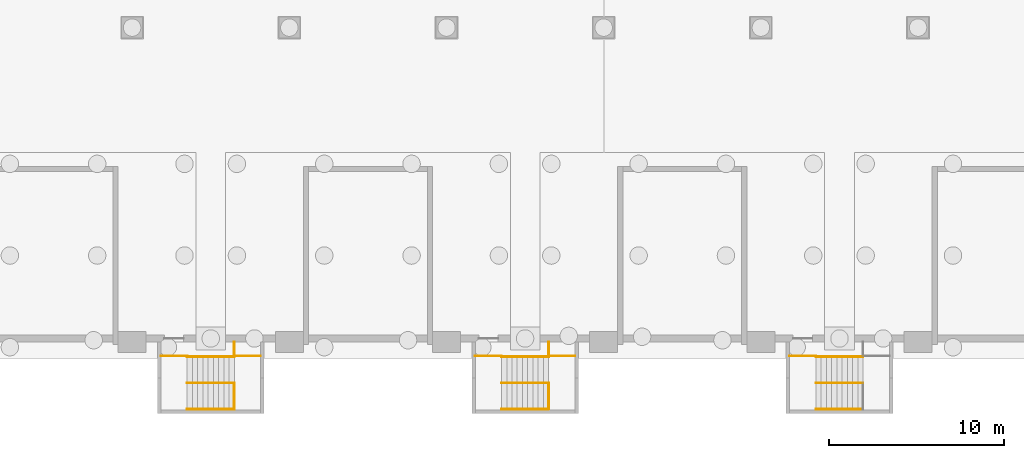
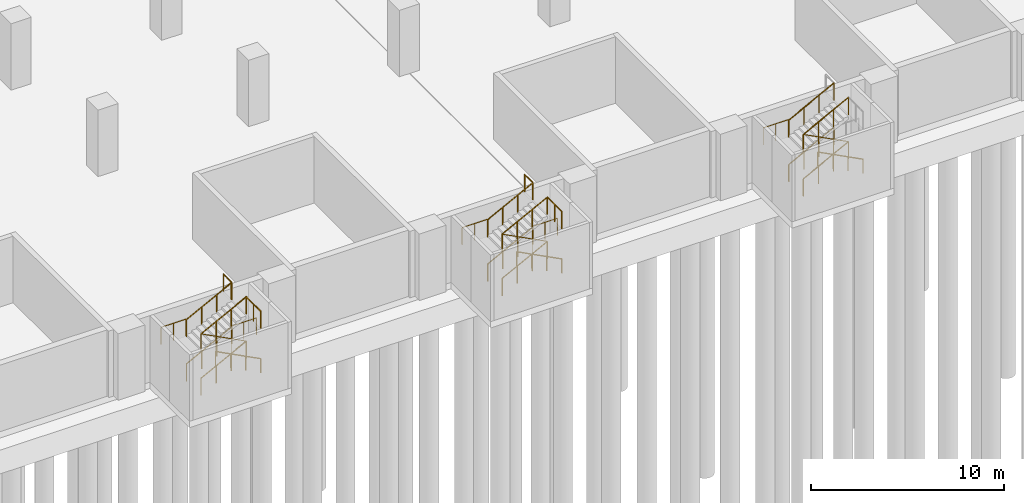
# One storey, part 21 of 29: 27 railings.
"""IFC4 building model written with IfcOpenShell, lengths in metres."""

from ifc_helpers import new_model, si_unit, direction, frame, origin, origin_2d, place, context, subcontext, project, spatial, circle, extrude, material, type_object, element, save


model = new_model("IFC4")

# Units and contexts
model_context = context("Model", 3, precision=1e-05, world=origin(), true_north=direction((0.0, 1.0)))
body_context = subcontext(model_context, "Body", "Model", "MODEL_VIEW")
ifc_project = project(units=[si_unit("LENGTHUNIT", "METRE"), si_unit("AREAUNIT", "SQUARE_METRE"), si_unit("VOLUMEUNIT", "CUBIC_METRE"), si_unit("PLANEANGLEUNIT", "RADIAN"), si_unit("MASSUNIT", "GRAM", prefix="KILO")], contexts=[model_context])

# Site, building, storey
site_placement = place(None, origin())
site = spatial("IfcSite", under=ifc_project, at=site_placement, CompositionType="ELEMENT")
building_placement = place(site_placement, origin())
building = spatial("IfcBuilding", under=site, at=building_placement, Name="Aravalli Gate Trade Fair Centre", CompositionType="ELEMENT")
storey_placement = place(building_placement, frame((0.0, 0.0, -8.39990234375)))
storey = spatial("IfcBuildingStorey", under=building, at=storey_placement, Name="B2", CompositionType="ELEMENT", Elevation=-8.39990234375)

# Railings
ifc_material = material(Name="Steel E350", Category="steel")
railing_type_1 = type_object("IfcRailingType", Name="Basement stair guard 1100", PredefinedType="GUARDRAIL", material=ifc_material)
railing_1_placement = place(storey_placement, frame((27.14990234375, 43.64990234375, 0.0)))
element("IfcRailing", 1, at=railing_1_placement, inside=storey, type_object=railing_type_1, Name="Basement stair S1 guard A B2", PredefinedType="GUARDRAIL", context=body_context, shape_type="SweptSolid", body=[
    extrude(circle(Radius=0.02392578125, at=origin_2d()), frame((0.0, 0.0, 1.076171875), z_axis=(0.887781257544, 0.0, 0.460265617609), x_axis=(0.0, 1.0, 0.0)), (0.0, 0.0, 1.0), 3.04150390625),
    extrude(circle(Radius=0.02099609375, at=origin_2d()), origin(), (0.0, 0.0, 1.0), 1.052001953125),
    extrude(circle(Radius=0.02099609375, at=origin_2d()), frame((0.900146484375, 0.0, 0.466552734375)), (0.0, 0.0, 1.0), 1.052001953125),
    extrude(circle(Radius=0.02099609375, at=origin_2d()), frame((1.800048828125, 0.0, 0.933349609375)), (0.0, 0.0, 1.0), 1.052001953125),
    extrude(circle(Radius=0.02099609375, at=origin_2d()), frame((2.7001953125, 0.0, 1.39990234375)), (0.0, 0.0, 1.0), 1.052001953125),
])
railing_2_placement = place(storey_placement, frame((29.85009765625, 43.64990234375, 1.39990234375)))
element("IfcRailing", 2, at=railing_2_placement, inside=storey, type_object=railing_type_1, Name="Basement stair S1 guard B B2", PredefinedType="GUARDRAIL", context=body_context, shape_type="SweptSolid", body=[
    extrude(circle(Radius=0.02392578125, at=origin_2d()), frame((0.0, 0.0, 1.076171875), z_axis=(-0.887781257544, 0.0, 0.460265617609), x_axis=(0.0, -1.0, 0.0)), (0.0, 0.0, 1.0), 3.04150390625),
    extrude(circle(Radius=0.02099609375, at=origin_2d()), origin(), (0.0, 0.0, 1.0), 1.052001953125),
    extrude(circle(Radius=0.02099609375, at=origin_2d()), frame((-0.900146484375, 0.0, 0.466552734375)), (0.0, 0.0, 1.0), 1.052001953125),
    extrude(circle(Radius=0.02099609375, at=origin_2d()), frame((-1.800048828125, 0.0, 0.933349609375)), (0.0, 0.0, 1.0), 1.052001953125),
    extrude(circle(Radius=0.02099609375, at=origin_2d()), frame((-2.7001953125, 0.0, 1.39990234375)), (0.0, 0.0, 1.0), 1.052001953125),
])
railing_3_placement = place(storey_placement, frame((27.14990234375, 43.64990234375, 2.7998046875)))
element("IfcRailing", 3, at=railing_3_placement, inside=storey, type_object=railing_type_1, Name="Basement stair S1 guard C B2", PredefinedType="GUARDRAIL", context=body_context, shape_type="SweptSolid", body=[
    extrude(circle(Radius=0.02392578125, at=origin_2d()), frame((0.0, 0.0, 1.076171875), z_axis=(0.887748457143, 0.0, 0.460328878998), x_axis=(0.0, 1.0, 0.0)), (0.0, 0.0, 1.0), 3.04150390625),
    extrude(circle(Radius=0.02099609375, at=origin_2d()), origin(), (0.0, 0.0, 1.0), 1.052001953125),
    extrude(circle(Radius=0.02099609375, at=origin_2d()), frame((0.900146484375, 0.0, 0.466796875)), (0.0, 0.0, 1.0), 1.052001953125),
    extrude(circle(Radius=0.02099609375, at=origin_2d()), frame((1.800048828125, 0.0, 0.933349609375)), (0.0, 0.0, 1.0), 1.052001953125),
    extrude(circle(Radius=0.02099609375, at=origin_2d()), frame((2.7001953125, 0.0, 1.400146484375)), (0.0, 0.0, 1.0), 1.052001953125),
])
railing_4_placement = place(storey_placement, frame((27.14990234375, 45.14990234375, 0.0)))
element("IfcRailing", 4, at=railing_4_placement, inside=storey, type_object=railing_type_1, Name="Basement stair S1 guard A B2", PredefinedType="GUARDRAIL", context=body_context, shape_type="SweptSolid", body=[
    extrude(circle(Radius=0.02392578125, at=origin_2d()), frame((0.0, 0.0, 1.076171875), z_axis=(0.887781257544, 0.0, 0.460265617609), x_axis=(0.0, 1.0, 0.0)), (0.0, 0.0, 1.0), 3.04150390625),
    extrude(circle(Radius=0.02099609375, at=origin_2d()), origin(), (0.0, 0.0, 1.0), 1.052001953125),
    extrude(circle(Radius=0.02099609375, at=origin_2d()), frame((0.900146484375, 0.0, 0.466552734375)), (0.0, 0.0, 1.0), 1.052001953125),
    extrude(circle(Radius=0.02099609375, at=origin_2d()), frame((1.800048828125, 0.0, 0.933349609375)), (0.0, 0.0, 1.0), 1.052001953125),
    extrude(circle(Radius=0.02099609375, at=origin_2d()), frame((2.7001953125, 0.0, 1.39990234375)), (0.0, 0.0, 1.0), 1.052001953125),
])
railing_5_placement = place(storey_placement, frame((27.14990234375, 45.14990234375, 2.7998046875)))
element("IfcRailing", 5, at=railing_5_placement, inside=storey, type_object=railing_type_1, Name="Basement stair S1 guard C B2", PredefinedType="GUARDRAIL", context=body_context, shape_type="SweptSolid", body=[
    extrude(circle(Radius=0.02392578125, at=origin_2d()), frame((0.0, 0.0, 1.076171875), z_axis=(0.887748457143, 0.0, 0.460328878998), x_axis=(0.0, 1.0, 0.0)), (0.0, 0.0, 1.0), 3.04150390625),
    extrude(circle(Radius=0.02099609375, at=origin_2d()), origin(), (0.0, 0.0, 1.0), 1.052001953125),
    extrude(circle(Radius=0.02099609375, at=origin_2d()), frame((0.900146484375, 0.0, 0.466796875)), (0.0, 0.0, 1.0), 1.052001953125),
    extrude(circle(Radius=0.02099609375, at=origin_2d()), frame((1.800048828125, 0.0, 0.933349609375)), (0.0, 0.0, 1.0), 1.052001953125),
    extrude(circle(Radius=0.02099609375, at=origin_2d()), frame((2.7001953125, 0.0, 1.400146484375)), (0.0, 0.0, 1.0), 1.052001953125),
])
for number, where, name in (
    (6, (29.85009765625, 45.199951171875, 1.39990234375), "Basement stair S1 landing edge guard 1 B2"),
    (7, (25.64990234375, 45.199951171875, 2.7998046875), "Basement stair S1 landing edge guard 2 B2"),
):
    element("IfcRailing", number, at=place(storey_placement, frame(where)), inside=storey, type_object=railing_type_1, Name=name, PredefinedType="GUARDRAIL", context=body_context, shape_type="SweptSolid", body=[
        extrude(circle(Radius=0.02392578125, at=origin_2d()), frame((0.0, 0.0, 1.076171875), z_axis=(1.0, 0.0, 0.0), x_axis=(0.0, 1.0, 0.0)), (0.0, 0.0, 1.0), 1.5),
        extrude(circle(Radius=0.02099609375, at=origin_2d()), origin(), (0.0, 0.0, 1.0), 1.052001953125),
        extrude(circle(Radius=0.02099609375, at=origin_2d()), frame((0.75, 0.0, 0.0)), (0.0, 0.0, 1.0), 1.052001953125),
        extrude(circle(Radius=0.02099609375, at=origin_2d()), frame((1.5, 0.0, 0.0)), (0.0, 0.0, 1.0), 1.052001953125),
    ])
railing_6_placement = place(storey_placement, frame((29.85009765625, 46.0, 4.199951171875)))
element("IfcRailing", 8, at=railing_6_placement, inside=storey, type_object=railing_type_1, Name="Basement stair S1 strip guard B2", PredefinedType="GUARDRAIL", context=body_context, shape_type="SweptSolid", body=[
    extrude(circle(Radius=0.02392578125, at=origin_2d()), frame((0.0, 0.0, 1.076171875), z_axis=(0.0, -1.0, 0.0), x_axis=(1.0, 0.0, 0.0)), (0.0, 0.0, 1.0), 0.800048828125),
    extrude(circle(Radius=0.02099609375, at=origin_2d()), origin(), (0.0, 0.0, 1.0), 1.052001953125),
    extrude(circle(Radius=0.02099609375, at=origin_2d()), frame((0.0, -0.800048828125, 0.0)), (0.0, 0.0, 1.0), 1.052001953125),
])
railing_7_placement = place(storey_placement, frame((29.85009765625, 43.64990234375, 4.199951171875)))
element("IfcRailing", 9, at=railing_7_placement, inside=storey, type_object=railing_type_1, Name="Basement stair S1 well guard B2", PredefinedType="GUARDRAIL", context=body_context, shape_type="SweptSolid", body=[
    extrude(circle(Radius=0.02392578125, at=origin_2d()), frame((0.0, 0.0, 1.076171875), z_axis=(0.0, -1.0, 0.0), x_axis=(1.0, 0.0, 0.0)), (0.0, 0.0, 1.0), 1.5),
    extrude(circle(Radius=0.02099609375, at=origin_2d()), origin(), (0.0, 0.0, 1.0), 1.052001953125),
    extrude(circle(Radius=0.02099609375, at=origin_2d()), frame((0.0, -0.75, 0.0)), (0.0, 0.0, 1.0), 1.052001953125),
    extrude(circle(Radius=0.02099609375, at=origin_2d()), frame((0.0, -1.5, 0.0)), (0.0, 0.0, 1.0), 1.052001953125),
])
railing_8_placement = place(storey_placement, frame((45.14990234375, 43.64990234375, 0.0)))
element("IfcRailing", 10, at=railing_8_placement, inside=storey, type_object=railing_type_1, Name="Basement stair S2 guard A B2", PredefinedType="GUARDRAIL", context=body_context, shape_type="SweptSolid", body=[
    extrude(circle(Radius=0.02392578125, at=origin_2d()), frame((0.0, 0.0, 1.076171875), z_axis=(0.887781257544, 0.0, 0.460265617609), x_axis=(0.0, 1.0, 0.0)), (0.0, 0.0, 1.0), 3.04150390625),
    extrude(circle(Radius=0.02099609375, at=origin_2d()), origin(), (0.0, 0.0, 1.0), 1.052001953125),
    extrude(circle(Radius=0.02099609375, at=origin_2d()), frame((0.900146484375, 0.0, 0.466552734375)), (0.0, 0.0, 1.0), 1.052001953125),
    extrude(circle(Radius=0.02099609375, at=origin_2d()), frame((1.800048828125, 0.0, 0.933349609375)), (0.0, 0.0, 1.0), 1.052001953125),
    extrude(circle(Radius=0.02099609375, at=origin_2d()), frame((2.7001953125, 0.0, 1.39990234375)), (0.0, 0.0, 1.0), 1.052001953125),
])
railing_9_placement = place(storey_placement, frame((47.85009765625, 43.64990234375, 1.39990234375)))
element("IfcRailing", 11, at=railing_9_placement, inside=storey, type_object=railing_type_1, Name="Basement stair S2 guard B B2", PredefinedType="GUARDRAIL", context=body_context, shape_type="SweptSolid", body=[
    extrude(circle(Radius=0.02392578125, at=origin_2d()), frame((0.0, 0.0, 1.076171875), z_axis=(-0.887781257544, 0.0, 0.460265617609), x_axis=(0.0, -1.0, 0.0)), (0.0, 0.0, 1.0), 3.04150390625),
    extrude(circle(Radius=0.02099609375, at=origin_2d()), origin(), (0.0, 0.0, 1.0), 1.052001953125),
    extrude(circle(Radius=0.02099609375, at=origin_2d()), frame((-0.900146484375, 0.0, 0.466552734375)), (0.0, 0.0, 1.0), 1.052001953125),
    extrude(circle(Radius=0.02099609375, at=origin_2d()), frame((-1.800048828125, 0.0, 0.933349609375)), (0.0, 0.0, 1.0), 1.052001953125),
    extrude(circle(Radius=0.02099609375, at=origin_2d()), frame((-2.7001953125, 0.0, 1.39990234375)), (0.0, 0.0, 1.0), 1.052001953125),
])
railing_10_placement = place(storey_placement, frame((45.14990234375, 43.64990234375, 2.7998046875)))
element("IfcRailing", 12, at=railing_10_placement, inside=storey, type_object=railing_type_1, Name="Basement stair S2 guard C B2", PredefinedType="GUARDRAIL", context=body_context, shape_type="SweptSolid", body=[
    extrude(circle(Radius=0.02392578125, at=origin_2d()), frame((0.0, 0.0, 1.076171875), z_axis=(0.887748457143, 0.0, 0.460328878998), x_axis=(0.0, 1.0, 0.0)), (0.0, 0.0, 1.0), 3.04150390625),
    extrude(circle(Radius=0.02099609375, at=origin_2d()), origin(), (0.0, 0.0, 1.0), 1.052001953125),
    extrude(circle(Radius=0.02099609375, at=origin_2d()), frame((0.900146484375, 0.0, 0.466796875)), (0.0, 0.0, 1.0), 1.052001953125),
    extrude(circle(Radius=0.02099609375, at=origin_2d()), frame((1.800048828125, 0.0, 0.933349609375)), (0.0, 0.0, 1.0), 1.052001953125),
    extrude(circle(Radius=0.02099609375, at=origin_2d()), frame((2.7001953125, 0.0, 1.400146484375)), (0.0, 0.0, 1.0), 1.052001953125),
])
railing_11_placement = place(storey_placement, frame((45.14990234375, 45.14990234375, 0.0)))
element("IfcRailing", 13, at=railing_11_placement, inside=storey, type_object=railing_type_1, Name="Basement stair S2 guard A B2", PredefinedType="GUARDRAIL", context=body_context, shape_type="SweptSolid", body=[
    extrude(circle(Radius=0.02392578125, at=origin_2d()), frame((0.0, 0.0, 1.076171875), z_axis=(0.887781257544, 0.0, 0.460265617609), x_axis=(0.0, 1.0, 0.0)), (0.0, 0.0, 1.0), 3.04150390625),
    extrude(circle(Radius=0.02099609375, at=origin_2d()), origin(), (0.0, 0.0, 1.0), 1.052001953125),
    extrude(circle(Radius=0.02099609375, at=origin_2d()), frame((0.900146484375, 0.0, 0.466552734375)), (0.0, 0.0, 1.0), 1.052001953125),
    extrude(circle(Radius=0.02099609375, at=origin_2d()), frame((1.800048828125, 0.0, 0.933349609375)), (0.0, 0.0, 1.0), 1.052001953125),
    extrude(circle(Radius=0.02099609375, at=origin_2d()), frame((2.7001953125, 0.0, 1.39990234375)), (0.0, 0.0, 1.0), 1.052001953125),
])
railing_12_placement = place(storey_placement, frame((45.14990234375, 45.14990234375, 2.7998046875)))
element("IfcRailing", 14, at=railing_12_placement, inside=storey, type_object=railing_type_1, Name="Basement stair S2 guard C B2", PredefinedType="GUARDRAIL", context=body_context, shape_type="SweptSolid", body=[
    extrude(circle(Radius=0.02392578125, at=origin_2d()), frame((0.0, 0.0, 1.076171875), z_axis=(0.887748457143, 0.0, 0.460328878998), x_axis=(0.0, 1.0, 0.0)), (0.0, 0.0, 1.0), 3.04150390625),
    extrude(circle(Radius=0.02099609375, at=origin_2d()), origin(), (0.0, 0.0, 1.0), 1.052001953125),
    extrude(circle(Radius=0.02099609375, at=origin_2d()), frame((0.900146484375, 0.0, 0.466796875)), (0.0, 0.0, 1.0), 1.052001953125),
    extrude(circle(Radius=0.02099609375, at=origin_2d()), frame((1.800048828125, 0.0, 0.933349609375)), (0.0, 0.0, 1.0), 1.052001953125),
    extrude(circle(Radius=0.02099609375, at=origin_2d()), frame((2.7001953125, 0.0, 1.400146484375)), (0.0, 0.0, 1.0), 1.052001953125),
])
for number, where, name in (
    (15, (47.85009765625, 45.199951171875, 1.39990234375), "Basement stair S2 landing edge guard 1 B2"),
    (16, (43.64990234375, 45.199951171875, 2.7998046875), "Basement stair S2 landing edge guard 2 B2"),
):
    element("IfcRailing", number, at=place(storey_placement, frame(where)), inside=storey, type_object=railing_type_1, Name=name, PredefinedType="GUARDRAIL", context=body_context, shape_type="SweptSolid", body=[
        extrude(circle(Radius=0.02392578125, at=origin_2d()), frame((0.0, 0.0, 1.076171875), z_axis=(1.0, 0.0, 0.0), x_axis=(0.0, 1.0, 0.0)), (0.0, 0.0, 1.0), 1.5),
        extrude(circle(Radius=0.02099609375, at=origin_2d()), origin(), (0.0, 0.0, 1.0), 1.052001953125),
        extrude(circle(Radius=0.02099609375, at=origin_2d()), frame((0.75, 0.0, 0.0)), (0.0, 0.0, 1.0), 1.052001953125),
        extrude(circle(Radius=0.02099609375, at=origin_2d()), frame((1.5, 0.0, 0.0)), (0.0, 0.0, 1.0), 1.052001953125),
    ])
railing_13_placement = place(storey_placement, frame((47.85009765625, 46.0, 4.199951171875)))
element("IfcRailing", 17, at=railing_13_placement, inside=storey, type_object=railing_type_1, Name="Basement stair S2 strip guard B2", PredefinedType="GUARDRAIL", context=body_context, shape_type="SweptSolid", body=[
    extrude(circle(Radius=0.02392578125, at=origin_2d()), frame((0.0, 0.0, 1.076171875), z_axis=(0.0, -1.0, 0.0), x_axis=(1.0, 0.0, 0.0)), (0.0, 0.0, 1.0), 0.800048828125),
    extrude(circle(Radius=0.02099609375, at=origin_2d()), origin(), (0.0, 0.0, 1.0), 1.052001953125),
    extrude(circle(Radius=0.02099609375, at=origin_2d()), frame((0.0, -0.800048828125, 0.0)), (0.0, 0.0, 1.0), 1.052001953125),
])
railing_14_placement = place(storey_placement, frame((47.85009765625, 43.64990234375, 4.199951171875)))
element("IfcRailing", 18, at=railing_14_placement, inside=storey, type_object=railing_type_1, Name="Basement stair S2 well guard B2", PredefinedType="GUARDRAIL", context=body_context, shape_type="SweptSolid", body=[
    extrude(circle(Radius=0.02392578125, at=origin_2d()), frame((0.0, 0.0, 1.076171875), z_axis=(0.0, -1.0, 0.0), x_axis=(1.0, 0.0, 0.0)), (0.0, 0.0, 1.0), 1.5),
    extrude(circle(Radius=0.02099609375, at=origin_2d()), origin(), (0.0, 0.0, 1.0), 1.052001953125),
    extrude(circle(Radius=0.02099609375, at=origin_2d()), frame((0.0, -0.75, 0.0)), (0.0, 0.0, 1.0), 1.052001953125),
    extrude(circle(Radius=0.02099609375, at=origin_2d()), frame((0.0, -1.5, 0.0)), (0.0, 0.0, 1.0), 1.052001953125),
])
railing_15_placement = place(storey_placement, frame((63.14990234375, 43.64990234375, 0.0)))
element("IfcRailing", 19, at=railing_15_placement, inside=storey, type_object=railing_type_1, Name="Basement stair S3 guard A B2", PredefinedType="GUARDRAIL", context=body_context, shape_type="SweptSolid", body=[
    extrude(circle(Radius=0.02392578125, at=origin_2d()), frame((0.0, 0.0, 1.076171875), z_axis=(0.887781257544, 0.0, 0.460265617609), x_axis=(0.0, 1.0, 0.0)), (0.0, 0.0, 1.0), 3.04150390625),
    extrude(circle(Radius=0.02099609375, at=origin_2d()), origin(), (0.0, 0.0, 1.0), 1.052001953125),
    extrude(circle(Radius=0.02099609375, at=origin_2d()), frame((0.900146484375, 0.0, 0.466552734375)), (0.0, 0.0, 1.0), 1.052001953125),
    extrude(circle(Radius=0.02099609375, at=origin_2d()), frame((1.800048828125, 0.0, 0.933349609375)), (0.0, 0.0, 1.0), 1.052001953125),
    extrude(circle(Radius=0.02099609375, at=origin_2d()), frame((2.7001953125, 0.0, 1.39990234375)), (0.0, 0.0, 1.0), 1.052001953125),
])
railing_16_placement = place(storey_placement, frame((65.85009765625, 43.64990234375, 1.39990234375)))
element("IfcRailing", 20, at=railing_16_placement, inside=storey, type_object=railing_type_1, Name="Basement stair S3 guard B B2", PredefinedType="GUARDRAIL", context=body_context, shape_type="SweptSolid", body=[
    extrude(circle(Radius=0.02392578125, at=origin_2d()), frame((0.0, 0.0, 1.076171875), z_axis=(-0.887781257544, 0.0, 0.460265617609), x_axis=(0.0, -1.0, 0.0)), (0.0, 0.0, 1.0), 3.04150390625),
    extrude(circle(Radius=0.02099609375, at=origin_2d()), origin(), (0.0, 0.0, 1.0), 1.052001953125),
    extrude(circle(Radius=0.02099609375, at=origin_2d()), frame((-0.900146484375, 0.0, 0.466552734375)), (0.0, 0.0, 1.0), 1.052001953125),
    extrude(circle(Radius=0.02099609375, at=origin_2d()), frame((-1.800048828125, 0.0, 0.933349609375)), (0.0, 0.0, 1.0), 1.052001953125),
    extrude(circle(Radius=0.02099609375, at=origin_2d()), frame((-2.7001953125, 0.0, 1.39990234375)), (0.0, 0.0, 1.0), 1.052001953125),
])
railing_17_placement = place(storey_placement, frame((63.14990234375, 43.64990234375, 2.7998046875)))
element("IfcRailing", 21, at=railing_17_placement, inside=storey, type_object=railing_type_1, Name="Basement stair S3 guard C B2", PredefinedType="GUARDRAIL", context=body_context, shape_type="SweptSolid", body=[
    extrude(circle(Radius=0.02392578125, at=origin_2d()), frame((0.0, 0.0, 1.076171875), z_axis=(0.887748457143, 0.0, 0.460328878998), x_axis=(0.0, 1.0, 0.0)), (0.0, 0.0, 1.0), 3.04150390625),
    extrude(circle(Radius=0.02099609375, at=origin_2d()), origin(), (0.0, 0.0, 1.0), 1.052001953125),
    extrude(circle(Radius=0.02099609375, at=origin_2d()), frame((0.900146484375, 0.0, 0.466796875)), (0.0, 0.0, 1.0), 1.052001953125),
    extrude(circle(Radius=0.02099609375, at=origin_2d()), frame((1.800048828125, 0.0, 0.933349609375)), (0.0, 0.0, 1.0), 1.052001953125),
    extrude(circle(Radius=0.02099609375, at=origin_2d()), frame((2.7001953125, 0.0, 1.400146484375)), (0.0, 0.0, 1.0), 1.052001953125),
])
railing_18_placement = place(storey_placement, frame((63.14990234375, 45.14990234375, 0.0)))
element("IfcRailing", 22, at=railing_18_placement, inside=storey, type_object=railing_type_1, Name="Basement stair S3 guard A B2", PredefinedType="GUARDRAIL", context=body_context, shape_type="SweptSolid", body=[
    extrude(circle(Radius=0.02392578125, at=origin_2d()), frame((0.0, 0.0, 1.076171875), z_axis=(0.887781257544, 0.0, 0.460265617609), x_axis=(0.0, 1.0, 0.0)), (0.0, 0.0, 1.0), 3.04150390625),
    extrude(circle(Radius=0.02099609375, at=origin_2d()), origin(), (0.0, 0.0, 1.0), 1.052001953125),
    extrude(circle(Radius=0.02099609375, at=origin_2d()), frame((0.900146484375, 0.0, 0.466552734375)), (0.0, 0.0, 1.0), 1.052001953125),
    extrude(circle(Radius=0.02099609375, at=origin_2d()), frame((1.800048828125, 0.0, 0.933349609375)), (0.0, 0.0, 1.0), 1.052001953125),
    extrude(circle(Radius=0.02099609375, at=origin_2d()), frame((2.7001953125, 0.0, 1.39990234375)), (0.0, 0.0, 1.0), 1.052001953125),
])
railing_19_placement = place(storey_placement, frame((63.14990234375, 45.14990234375, 2.7998046875)))
element("IfcRailing", 23, at=railing_19_placement, inside=storey, type_object=railing_type_1, Name="Basement stair S3 guard C B2", PredefinedType="GUARDRAIL", context=body_context, shape_type="SweptSolid", body=[
    extrude(circle(Radius=0.02392578125, at=origin_2d()), frame((0.0, 0.0, 1.076171875), z_axis=(0.887748457143, 0.0, 0.460328878998), x_axis=(0.0, 1.0, 0.0)), (0.0, 0.0, 1.0), 3.04150390625),
    extrude(circle(Radius=0.02099609375, at=origin_2d()), origin(), (0.0, 0.0, 1.0), 1.052001953125),
    extrude(circle(Radius=0.02099609375, at=origin_2d()), frame((0.900146484375, 0.0, 0.466796875)), (0.0, 0.0, 1.0), 1.052001953125),
    extrude(circle(Radius=0.02099609375, at=origin_2d()), frame((1.800048828125, 0.0, 0.933349609375)), (0.0, 0.0, 1.0), 1.052001953125),
    extrude(circle(Radius=0.02099609375, at=origin_2d()), frame((2.7001953125, 0.0, 1.400146484375)), (0.0, 0.0, 1.0), 1.052001953125),
])
railing_20_placement = place(storey_placement, frame((61.64990234375, 45.199951171875, 2.7998046875)))
element("IfcRailing", 24, at=railing_20_placement, inside=storey, type_object=railing_type_1, Name="Basement stair S3 landing edge guard 2 B2", PredefinedType="GUARDRAIL", context=body_context, shape_type="SweptSolid", body=[
    extrude(circle(Radius=0.02392578125, at=origin_2d()), frame((0.0, 0.0, 1.076171875), z_axis=(1.0, 0.0, 0.0), x_axis=(0.0, 1.0, 0.0)), (0.0, 0.0, 1.0), 1.5),
    extrude(circle(Radius=0.02099609375, at=origin_2d()), origin(), (0.0, 0.0, 1.0), 1.052001953125),
    extrude(circle(Radius=0.02099609375, at=origin_2d()), frame((0.75, 0.0, 0.0)), (0.0, 0.0, 1.0), 1.052001953125),
    extrude(circle(Radius=0.02099609375, at=origin_2d()), frame((1.5, 0.0, 0.0)), (0.0, 0.0, 1.0), 1.052001953125),
])
railing_type_2 = type_object("IfcRailingType", Name="Basement stair handrail 900", PredefinedType="HANDRAIL", material=ifc_material)
for number, where, name in (
    (25, (29.85009765625, 42.14990234375, 1.39990234375), "Basement stair S1 handrail B B2"),
    (26, (47.85009765625, 42.14990234375, 1.39990234375), "Basement stair S2 handrail B B2"),
    (27, (65.85009765625, 42.14990234375, 1.39990234375), "Basement stair S3 handrail B B2"),
):
    element("IfcRailing", number, at=place(storey_placement, frame(where)), inside=storey, type_object=railing_type_2, Name=name, PredefinedType="HANDRAIL", context=body_context, shape_type="SweptSolid", body=[
        extrude(circle(Radius=0.02392578125, at=origin_2d()), frame((0.0, 0.0, 0.8759765625), z_axis=(-0.887781257544, 0.0, 0.460265617609), x_axis=(0.0, -1.0, 0.0)), (0.0, 0.0, 1.0), 3.04150390625),
        extrude(circle(Radius=0.02099609375, at=origin_2d()), origin(), (0.0, 0.0, 1.0), 0.851806640625),
        extrude(circle(Radius=0.02099609375, at=origin_2d()), frame((-0.900146484375, 0.0, 0.466552734375)), (0.0, 0.0, 1.0), 0.851806640625),
        extrude(circle(Radius=0.02099609375, at=origin_2d()), frame((-1.800048828125, 0.0, 0.933349609375)), (0.0, 0.0, 1.0), 0.851806640625),
        extrude(circle(Radius=0.02099609375, at=origin_2d()), frame((-2.7001953125, 0.0, 1.39990234375)), (0.0, 0.0, 1.0), 0.851806640625),
    ])

save(model, "model.ifc")
